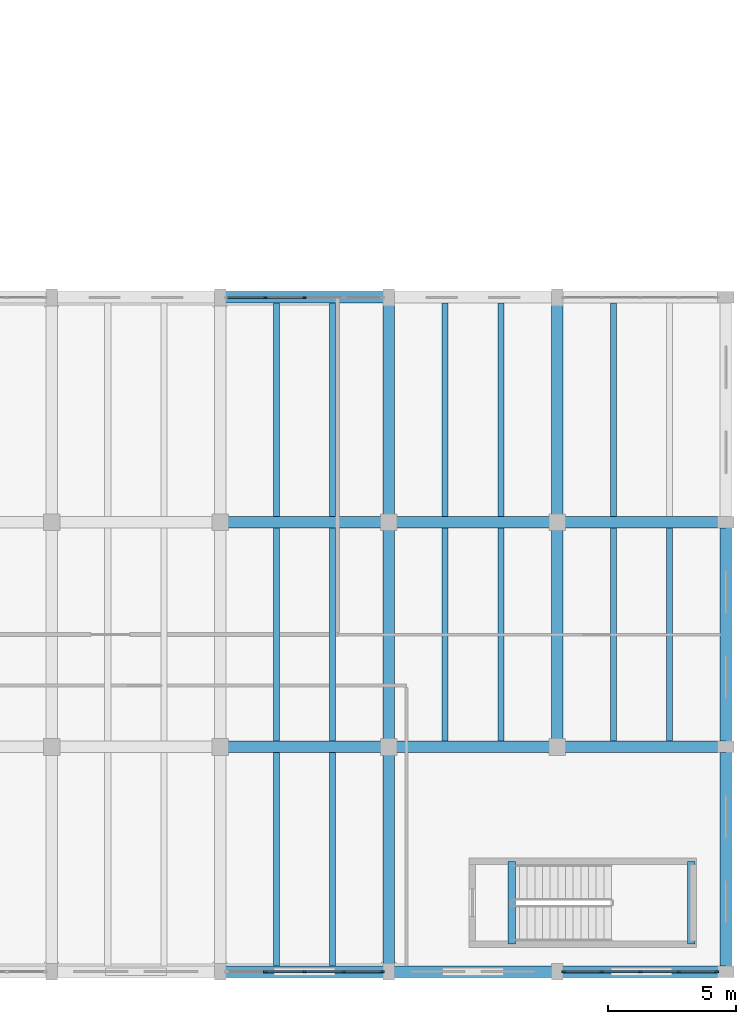
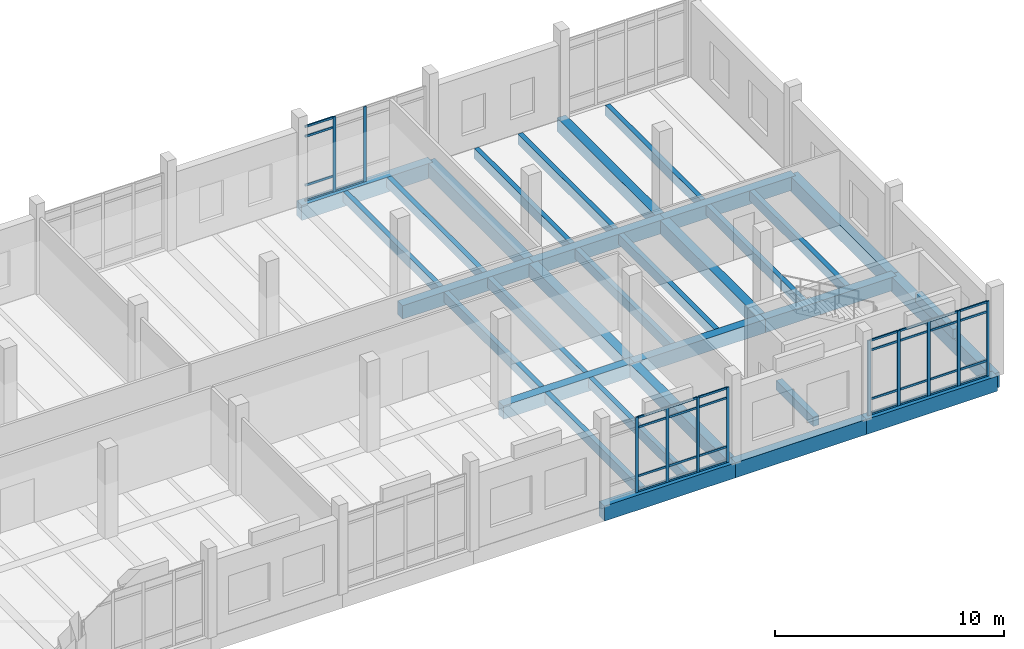
# One storey, part 38 of 101: 44 members, 32 beams, 3 elements without a shape of their own.
"""IFC4 building model written with IfcOpenShell, lengths in metres."""

from ifc_helpers import new_model, si_unit, direction, frame, origin, origin_2d, place, context, subcontext, project, spatial, rectangle, extrude, material, material_profile, profile_set, type_object, element, aggregate, save


model = new_model("IFC4")

# Units and contexts
model_context = context("Model", 3, precision=1e-05, world=origin(), true_north=direction((0.0, 1.0)))
body_context = subcontext(model_context, "Body", "Model", "MODEL_VIEW")
ifc_project = project(units=[si_unit("LENGTHUNIT", "METRE"), si_unit("AREAUNIT", "SQUARE_METRE"), si_unit("VOLUMEUNIT", "CUBIC_METRE"), si_unit("PLANEANGLEUNIT", "RADIAN"), si_unit("MASSUNIT", "GRAM", prefix="KILO")], contexts=[model_context])

# Site, building, storey
site_placement = place(None, origin())
site = spatial("IfcSite", under=ifc_project, at=site_placement, CompositionType="ELEMENT")
building_placement = place(site_placement, origin())
building = spatial("IfcBuilding", under=site, at=building_placement, Name="Dornvale Research Institute", CompositionType="ELEMENT")
storey_placement = place(building_placement, frame((0.0, 0.0, 10.199951171875)))
storey = spatial("IfcBuildingStorey", under=building, at=storey_placement, Name="L02", CompositionType="ELEMENT", Elevation=10.199951171875)

# Beams
ifc_material_1 = material(Name="Concrete f'c 45 MPa (C35/45)", Category="concrete")
ifc_material_profile_1 = material_profile(ifc_material_1, rectangle(XDim=0.300048828125, YDim=0.5, at=origin_2d()), Name="RC 300x500")
ifc_profile_set_1 = profile_set([ifc_material_profile_1], Name="Concrete f'c 45 MPa (C35/45)")
beam_type_1 = type_object("IfcBeamType", Name="Beam_RC300x500_Trim", PredefinedType="BEAM", material=ifc_profile_set_1)
for number, where, z_axis, x_axis, name in (
    (1, (169.820068359375, 1.080078125, -0.25), (0.0, 1.0, 0.0), (-1.0, 0.0, 0.0), "L02 ST-6 stair landing trimmer beam #88"),
    (2, (176.85009765625, 1.080078125, 1.949951171875), (0.0, 1.0, 0.0), (-1.0, 0.0, 0.0), "L02 ST-6 half-landing support beam #94"),
):
    element("IfcBeam", number, at=place(storey_placement, frame(where, z_axis=z_axis, x_axis=x_axis)), inside=storey, type_object=beam_type_1, Name=name, PredefinedType="BEAM", context=body_context, shape_type="SweptSolid", body=[
        extrude(rectangle(XDim=0.300048828125, YDim=0.5, at=origin_2d()), origin(), (0.0, 0.0, 1.0), 3.239990234375),
    ])
ifc_material_2 = material(Name="Concrete f'c 45 MPa (C35/45)", Category="concrete")
ifc_material_profile_2 = material_profile(ifc_material_2, rectangle(XDim=0.449951171875, YDim=0.715087890625, at=origin_2d()), Name="RC 450x715")
ifc_profile_set_2 = profile_set([ifc_material_profile_2], Name="Concrete f'c 45 MPa (C35/45)")
beam_type_2 = type_object("IfcBeamType", Name="Beam_RC450x715_Lab", PredefinedType="BEAM", material=ifc_profile_set_2)
for number, where, z_axis, x_axis, name in (
    (3, (158.39990234375, 8.800048828125, -0.357421875), (1.0, 0.0, 0.0), (0.0, 1.0, 0.0), "L02 primary girder #719"),
    (4, (165.0, 8.800048828125, -0.357421875), (1.0, 0.0, 0.0), (0.0, 1.0, 0.0), "L02 primary girder #720"),
):
    element("IfcBeam", number, at=place(storey_placement, frame(where, z_axis=z_axis, x_axis=x_axis)), inside=storey, type_object=beam_type_2, Name=name, PredefinedType="BEAM", context=body_context, shape_type="SweptSolid", body=[
        extrude(rectangle(XDim=0.449951171875, YDim=0.715087890625, at=origin_2d()), origin(), (0.0, 0.0, 1.0), 6.60009765625),
    ])
beam_1_placement = place(storey_placement, frame((171.60009765625, 8.800048828125, -0.357421875), z_axis=(1.0, 0.0, 0.0), x_axis=(0.0, 1.0, 0.0)))
element("IfcBeam", 5, at=beam_1_placement, inside=storey, type_object=beam_type_2, Name="L02 primary girder #721", PredefinedType="BEAM", context=body_context, shape_type="SweptSolid", body=[
    extrude(rectangle(XDim=0.449951171875, YDim=0.715087890625, at=origin_2d()), origin(), (0.0, 0.0, 1.0), 6.599853515625),
])
for number, where, z_axis, x_axis, name in (
    (6, (158.39990234375, 17.60009765625, -0.357421875), (1.0, 0.0, 0.0), (0.0, 1.0, 0.0), "L02 primary girder #731"),
    (7, (165.0, 17.60009765625, -0.357421875), (1.0, 0.0, 0.0), (0.0, 1.0, 0.0), "L02 primary girder #732"),
):
    element("IfcBeam", number, at=place(storey_placement, frame(where, z_axis=z_axis, x_axis=x_axis)), inside=storey, type_object=beam_type_2, Name=name, PredefinedType="BEAM", context=body_context, shape_type="SweptSolid", body=[
        extrude(rectangle(XDim=0.449951171875, YDim=0.715087890625, at=origin_2d()), origin(), (0.0, 0.0, 1.0), 6.60009765625),
    ])
beam_2_placement = place(storey_placement, frame((171.60009765625, 17.60009765625, -0.357421875), z_axis=(1.0, 0.0, 0.0), x_axis=(0.0, 1.0, 0.0)))
element("IfcBeam", 8, at=beam_2_placement, inside=storey, type_object=beam_type_2, Name="L02 primary girder #733", PredefinedType="BEAM", context=body_context, shape_type="SweptSolid", body=[
    extrude(rectangle(XDim=0.449951171875, YDim=0.715087890625, at=origin_2d()), origin(), (0.0, 0.0, 1.0), 6.599853515625),
])
for number, where, z_axis, x_axis, name in (
    (9, (165.0, 0.0, -0.357421875), (0.0, 1.0, 0.0), (-1.0, 0.0, 0.0), "L02 transverse girder #775"),
    (10, (165.0, 8.800048828125, -0.357421875), (0.0, 1.0, 0.0), (-1.0, 0.0, 0.0), "L02 transverse girder #776"),
):
    element("IfcBeam", number, at=place(storey_placement, frame(where, z_axis=z_axis, x_axis=x_axis)), inside=storey, type_object=beam_type_2, Name=name, PredefinedType="BEAM", context=body_context, shape_type="SweptSolid", body=[
        extrude(rectangle(XDim=0.449951171875, YDim=0.715087890625, at=origin_2d()), origin(), (0.0, 0.0, 1.0), 8.800048828125),
    ])
beam_3_placement = place(storey_placement, frame((165.0, 17.60009765625, -0.357421875), z_axis=(0.0, 1.0, 0.0), x_axis=(-1.0, 0.0, 0.0)))
element("IfcBeam", 11, at=beam_3_placement, inside=storey, type_object=beam_type_2, Name="L02 transverse girder #777", PredefinedType="BEAM", context=body_context, shape_type="SweptSolid", body=[
    extrude(rectangle(XDim=0.449951171875, YDim=0.715087890625, at=origin_2d()), origin(), (0.0, 0.0, 1.0), 8.7998046875),
])
beam_4_placement = place(storey_placement, frame((171.60009765625, 8.800048828125, -0.357421875), z_axis=(0.0, 1.0, 0.0), x_axis=(-1.0, 0.0, 0.0)))
element("IfcBeam", 12, at=beam_4_placement, inside=storey, type_object=beam_type_2, Name="L02 transverse girder #778", PredefinedType="BEAM", context=body_context, shape_type="SweptSolid", body=[
    extrude(rectangle(XDim=0.449951171875, YDim=0.715087890625, at=origin_2d()), origin(), (0.0, 0.0, 1.0), 8.800048828125),
])
beam_5_placement = place(storey_placement, frame((171.60009765625, 17.60009765625, -0.357421875), z_axis=(0.0, 1.0, 0.0), x_axis=(-1.0, 0.0, 0.0)))
element("IfcBeam", 13, at=beam_5_placement, inside=storey, type_object=beam_type_2, Name="L02 transverse girder #779", PredefinedType="BEAM", context=body_context, shape_type="SweptSolid", body=[
    extrude(rectangle(XDim=0.449951171875, YDim=0.715087890625, at=origin_2d()), origin(), (0.0, 0.0, 1.0), 8.7998046875),
])
ifc_material_3 = material(Name="Concrete f'c 45 MPa (C35/45)", Category="concrete")
ifc_material_profile_3 = material_profile(ifc_material_3, rectangle(XDim=0.239990234375, YDim=0.534912109375, at=origin_2d()), Name="RC 240x535")
ifc_profile_set_3 = profile_set([ifc_material_profile_3], Name="Concrete f'c 45 MPa (C35/45)")
beam_type_3 = type_object("IfcBeamType", Name="Joist_RC240x535_Waffle", PredefinedType="JOIST", material=ifc_profile_set_3)
for number, where, z_axis, x_axis, name in (
    (14, (160.60009765625, 0.22509765625, -0.267333984375), (0.0, 1.0, 0.0), (-1.0, 0.0, 0.0), "L02 laboratory waffle joist #401"),
    (15, (162.800048828125, 0.22509765625, -0.267333984375), (0.0, 1.0, 0.0), (-1.0, 0.0, 0.0), "L02 laboratory waffle joist #402"),
):
    element("IfcBeam", number, at=place(storey_placement, frame(where, z_axis=z_axis, x_axis=x_axis)), inside=storey, type_object=beam_type_3, Name=name, PredefinedType="JOIST", context=body_context, shape_type="SweptSolid", body=[
        extrude(rectangle(XDim=0.239990234375, YDim=0.534912109375, at=origin_2d()), origin(), (0.0, 0.0, 1.0), 8.349853515625),
    ])
for number, where, z_axis, x_axis, name in (
    (16, (160.60009765625, 9.02490234375, -0.267333984375), (0.0, 1.0, 0.0), (-1.0, 0.0, 0.0), "L02 laboratory waffle joist #403"),
    (17, (162.800048828125, 9.02490234375, -0.267333984375), (0.0, 1.0, 0.0), (-1.0, 0.0, 0.0), "L02 laboratory waffle joist #404"),
    (18, (160.60009765625, 17.824951171875, -0.267333984375), (0.0, 1.0, 0.0), (-1.0, 0.0, 0.0), "L02 laboratory waffle joist #405"),
    (19, (162.800048828125, 17.824951171875, -0.267333984375), (0.0, 1.0, 0.0), (-1.0, 0.0, 0.0), "L02 laboratory waffle joist #406"),
    (20, (167.199951171875, 9.02490234375, -0.267333984375), (0.0, 1.0, 0.0), (-1.0, 0.0, 0.0), "L02 laboratory waffle joist #407"),
    (21, (169.39990234375, 9.02490234375, -0.267333984375), (0.0, 1.0, 0.0), (-1.0, 0.0, 0.0), "L02 laboratory waffle joist #408"),
    (22, (167.199951171875, 17.824951171875, -0.267333984375), (0.0, 1.0, 0.0), (-1.0, 0.0, 0.0), "L02 laboratory waffle joist #409"),
    (23, (169.39990234375, 17.824951171875, -0.267333984375), (0.0, 1.0, 0.0), (-1.0, 0.0, 0.0), "L02 laboratory waffle joist #410"),
    (24, (173.800048828125, 9.02490234375, -0.267333984375), (0.0, 1.0, 0.0), (-1.0, 0.0, 0.0), "L02 laboratory waffle joist #411"),
    (25, (176.0, 9.02490234375, -0.267333984375), (0.0, 1.0, 0.0), (-1.0, 0.0, 0.0), "L02 laboratory waffle joist #412"),
    (26, (173.800048828125, 17.824951171875, -0.267333984375), (0.0, 1.0, 0.0), (-1.0, 0.0, 0.0), "L02 laboratory waffle joist #413"),
):
    element("IfcBeam", number, at=place(storey_placement, frame(where, z_axis=z_axis, x_axis=x_axis)), inside=storey, type_object=beam_type_3, Name=name, PredefinedType="JOIST", context=body_context, shape_type="SweptSolid", body=[
        extrude(rectangle(XDim=0.239990234375, YDim=0.534912109375, at=origin_2d()), origin(), (0.0, 0.0, 1.0), 8.35009765625),
    ])

# Curtain wall, members
ifc_material_4 = material(Name="Low-E Argon Double Insulating Glazing Unit", Category="glass")
curtain_wall_type_1 = type_object("IfcCurtainWallType", Name="UnitisedCurtainWall_V3_6150x4000", PredefinedType="USERDEFINED", material=ifc_material_4)
curtain_wall_1_placement = place(storey_placement, origin())
curtain_wall_1 = element("IfcCurtainWall", 27, at=curtain_wall_1_placement, inside=storey, type_object=curtain_wall_type_1, Name="L02 V3 unitised curtain wall CW-06 #46", ObjectType="UNITISED CURTAIN WALL", PredefinedType="USERDEFINED")
ifc_material_5 = material(Name="Anodized Aluminum AA 6063-T6 Thermally Broken Frame", Category="aluminium")
ifc_material_profile_4 = material_profile(ifc_material_5, rectangle(XDim=0.06494140625, YDim=0.14990234375, at=origin_2d()), Name="ALU MULLION 65x150")
ifc_profile_set_4 = profile_set([ifc_material_profile_4], Name="Anodized Aluminum AA 6063-T6 Thermally Broken Frame")
member_type_1 = type_object("IfcMemberType", Name="Mullion_CW_65x150", PredefinedType="MULLION", material=ifc_profile_set_4)
member_1_placement = place(storey_placement, frame((160.16259765625, 26.39990234375, 0.0), z_axis=(0.0, 0.0, 1.0), x_axis=(0.0, 1.0, 0.0)))
member_1 = element("IfcMember", 28, at=member_1_placement, type_object=member_type_1, Name="CW-06 mullion 2", PredefinedType="MULLION", context=body_context, shape_type="SweptSolid", body=[
    extrude(rectangle(XDim=0.06494140625, YDim=0.14990234375, at=origin_2d()), origin(), (0.0, 0.0, 1.0), 4.0),
])
member_2_placement = place(storey_placement, frame((161.699951171875, 26.39990234375, 0.0), z_axis=(0.0, 0.0, 1.0), x_axis=(0.0, 1.0, 0.0)))
member_2 = element("IfcMember", 29, at=member_2_placement, type_object=member_type_1, Name="CW-06 mullion 3", PredefinedType="MULLION", context=body_context, shape_type="SweptSolid", body=[
    extrude(rectangle(XDim=0.06494140625, YDim=0.14990234375, at=origin_2d()), origin(), (0.0, 0.0, 1.0), 4.0),
])

ifc_material_6 = material(Name="Low-E Argon Double Insulating Glazing Unit", Category="glass")
curtain_wall_type_2 = type_object("IfcCurtainWallType", Name="UnitisedCurtainWall_V3_6050x4000", PredefinedType="USERDEFINED", material=ifc_material_6)
curtain_wall_2_placement = place(storey_placement, origin())
curtain_wall_2 = element("IfcCurtainWall", 30, at=curtain_wall_2_placement, inside=storey, type_object=curtain_wall_type_2, Name="L02 V3 unitised curtain wall CW-07 #48", ObjectType="UNITISED CURTAIN WALL", PredefinedType="USERDEFINED")
member_3_placement = place(storey_placement, frame((177.842529296875, 0.0, 0.0), z_axis=(0.0, 0.0, 1.0), x_axis=(0.0, -1.0, 0.0)))
member_3 = element("IfcMember", 31, at=member_3_placement, type_object=member_type_1, Name="CW-07 mullion 1", PredefinedType="MULLION", context=body_context, shape_type="SweptSolid", body=[
    extrude(rectangle(XDim=0.06494140625, YDim=0.14990234375, at=origin_2d()), origin(), (0.0, 0.0, 1.0), 4.0),
])
member_4_placement = place(storey_placement, frame((176.362548828125, 0.0, 0.0), z_axis=(0.0, 0.0, 1.0), x_axis=(0.0, -1.0, 0.0)))
member_4 = element("IfcMember", 32, at=member_4_placement, type_object=member_type_1, Name="CW-07 mullion 2", PredefinedType="MULLION", context=body_context, shape_type="SweptSolid", body=[
    extrude(rectangle(XDim=0.06494140625, YDim=0.14990234375, at=origin_2d()), origin(), (0.0, 0.0, 1.0), 4.0),
])
member_5_placement = place(storey_placement, frame((174.85009765625, 0.0, 0.0), z_axis=(0.0, 0.0, 1.0), x_axis=(0.0, -1.0, 0.0)))
member_5 = element("IfcMember", 33, at=member_5_placement, type_object=member_type_1, Name="CW-07 mullion 3", PredefinedType="MULLION", context=body_context, shape_type="SweptSolid", body=[
    extrude(rectangle(XDim=0.06494140625, YDim=0.14990234375, at=origin_2d()), origin(), (0.0, 0.0, 1.0), 4.0),
])
member_6_placement = place(storey_placement, frame((173.33740234375, 0.0, 0.0), z_axis=(0.0, 0.0, 1.0), x_axis=(0.0, -1.0, 0.0)))
member_6 = element("IfcMember", 34, at=member_6_placement, type_object=member_type_1, Name="CW-07 mullion 4", PredefinedType="MULLION", context=body_context, shape_type="SweptSolid", body=[
    extrude(rectangle(XDim=0.06494140625, YDim=0.14990234375, at=origin_2d()), origin(), (0.0, 0.0, 1.0), 4.0),
])
member_7_placement = place(storey_placement, frame((171.857421875, 0.0, 0.0), z_axis=(0.0, 0.0, 1.0), x_axis=(0.0, -1.0, 0.0)))
member_7 = element("IfcMember", 35, at=member_7_placement, type_object=member_type_1, Name="CW-07 mullion 5", PredefinedType="MULLION", context=body_context, shape_type="SweptSolid", body=[
    extrude(rectangle(XDim=0.06494140625, YDim=0.14990234375, at=origin_2d()), origin(), (0.0, 0.0, 1.0), 4.0),
])

curtain_wall_3_placement = place(storey_placement, origin())
curtain_wall_3 = element("IfcCurtainWall", 36, at=curtain_wall_3_placement, inside=storey, type_object=curtain_wall_type_1, Name="L02 V3 unitised curtain wall CW-06 #49", ObjectType="UNITISED CURTAIN WALL", PredefinedType="USERDEFINED")
member_8_placement = place(storey_placement, frame((164.742431640625, 0.0, 0.0), z_axis=(0.0, 0.0, 1.0), x_axis=(0.0, -1.0, 0.0)))
member_8 = element("IfcMember", 37, at=member_8_placement, type_object=member_type_1, Name="CW-06 mullion 1", PredefinedType="MULLION", context=body_context, shape_type="SweptSolid", body=[
    extrude(rectangle(XDim=0.06494140625, YDim=0.14990234375, at=origin_2d()), origin(), (0.0, 0.0, 1.0), 4.0),
])
member_9_placement = place(storey_placement, frame((163.237548828125, 0.0, 0.0), z_axis=(0.0, 0.0, 1.0), x_axis=(0.0, -1.0, 0.0)))
member_9 = element("IfcMember", 38, at=member_9_placement, type_object=member_type_1, Name="CW-06 mullion 2", PredefinedType="MULLION", context=body_context, shape_type="SweptSolid", body=[
    extrude(rectangle(XDim=0.06494140625, YDim=0.14990234375, at=origin_2d()), origin(), (0.0, 0.0, 1.0), 4.0),
])
member_10_placement = place(storey_placement, frame((161.699951171875, 0.0, 0.0), z_axis=(0.0, 0.0, 1.0), x_axis=(0.0, -1.0, 0.0)))
member_10 = element("IfcMember", 39, at=member_10_placement, type_object=member_type_1, Name="CW-06 mullion 3", PredefinedType="MULLION", context=body_context, shape_type="SweptSolid", body=[
    extrude(rectangle(XDim=0.06494140625, YDim=0.14990234375, at=origin_2d()), origin(), (0.0, 0.0, 1.0), 4.0),
])
member_11_placement = place(storey_placement, frame((160.16259765625, 0.0, 0.0), z_axis=(0.0, 0.0, 1.0), x_axis=(0.0, -1.0, 0.0)))
member_11 = element("IfcMember", 40, at=member_11_placement, type_object=member_type_1, Name="CW-06 mullion 4", PredefinedType="MULLION", context=body_context, shape_type="SweptSolid", body=[
    extrude(rectangle(XDim=0.06494140625, YDim=0.14990234375, at=origin_2d()), origin(), (0.0, 0.0, 1.0), 4.0),
])

# Beams
ifc_material_7 = material(Name="Concrete f'c 45 MPa (C35/45)", Category="concrete")
ifc_material_profile_5 = material_profile(ifc_material_7, rectangle(XDim=0.449951171875, YDim=0.800048828125, at=origin_2d()), Name="RC 450x800")
ifc_profile_set_5 = profile_set([ifc_material_profile_5], Name="Concrete f'c 45 MPa (C35/45)")
beam_type_4 = type_object("IfcBeamType", Name="Spandrel_RC450x800_Ext", PredefinedType="SPANDREL", material=ifc_profile_set_5)
for number, where, z_axis, x_axis, name in (
    (41, (158.39990234375, 0.0, -0.39990234375), (1.0, 0.0, 0.0), (0.0, 1.0, 0.0), "L02 perimeter spandrel #707"),
    (42, (165.0, 0.0, -0.39990234375), (1.0, 0.0, 0.0), (0.0, 1.0, 0.0), "L02 perimeter spandrel #708"),
):
    element("IfcBeam", number, at=place(storey_placement, frame(where, z_axis=z_axis, x_axis=x_axis)), inside=storey, type_object=beam_type_4, Name=name, PredefinedType="SPANDREL", context=body_context, shape_type="SweptSolid", body=[
        extrude(rectangle(XDim=0.449951171875, YDim=0.800048828125, at=origin_2d()), origin(), (0.0, 0.0, 1.0), 6.60009765625),
    ])
beam_6_placement = place(storey_placement, frame((171.60009765625, 0.0, -0.39990234375), z_axis=(1.0, 0.0, 0.0), x_axis=(0.0, 1.0, 0.0)))
element("IfcBeam", 43, at=beam_6_placement, inside=storey, type_object=beam_type_4, Name="L02 perimeter spandrel #709", PredefinedType="SPANDREL", context=body_context, shape_type="SweptSolid", body=[
    extrude(rectangle(XDim=0.449951171875, YDim=0.800048828125, at=origin_2d()), origin(), (0.0, 0.0, 1.0), 6.599853515625),
])
beam_7_placement = place(storey_placement, frame((158.39990234375, 26.39990234375, -0.39990234375), z_axis=(1.0, 0.0, 0.0), x_axis=(0.0, 1.0, 0.0)))
element("IfcBeam", 44, at=beam_7_placement, inside=storey, type_object=beam_type_4, Name="L02 perimeter spandrel #743", PredefinedType="SPANDREL", context=body_context, shape_type="SweptSolid", body=[
    extrude(rectangle(XDim=0.449951171875, YDim=0.800048828125, at=origin_2d()), origin(), (0.0, 0.0, 1.0), 6.60009765625),
])
for number, where, z_axis, x_axis, name in (
    (45, (178.199951171875, 0.0, -0.39990234375), (0.0, 1.0, 0.0), (-1.0, 0.0, 0.0), "L02 perimeter spandrel #780"),
    (46, (178.199951171875, 8.800048828125, -0.39990234375), (0.0, 1.0, 0.0), (-1.0, 0.0, 0.0), "L02 perimeter spandrel #781"),
):
    element("IfcBeam", number, at=place(storey_placement, frame(where, z_axis=z_axis, x_axis=x_axis)), inside=storey, type_object=beam_type_4, Name=name, PredefinedType="SPANDREL", context=body_context, shape_type="SweptSolid", body=[
        extrude(rectangle(XDim=0.449951171875, YDim=0.800048828125, at=origin_2d()), origin(), (0.0, 0.0, 1.0), 8.800048828125),
    ])

# Member
ifc_material_8 = material(Name="Anodized Aluminum AA 6063-T6 Thermally Broken Frame", Category="aluminium")
ifc_material_profile_6 = material_profile(ifc_material_8, rectangle(XDim=0.06494140625, YDim=0.110107421875, at=origin_2d()), Name="ALU TRANSOM 65x110")
ifc_profile_set_6 = profile_set([ifc_material_profile_6], Name="Anodized Aluminum AA 6063-T6 Thermally Broken Frame")
member_type_2 = type_object("IfcMemberType", Name="Transom_CW_65x110", PredefinedType="USERDEFINED", material=ifc_profile_set_6)
member_12_placement = place(storey_placement, frame((158.68994140625, 26.39990234375, 0.032470703125), z_axis=(1.0, 0.0, 0.0), x_axis=(0.0, 1.0, 0.0)))
member_12 = element("IfcMember", 47, at=member_12_placement, type_object=member_type_2, Name="CW-06 transom 1.1", ObjectType="TRANSOM", PredefinedType="USERDEFINED", context=body_context, shape_type="SweptSolid", body=[
    extrude(rectangle(XDim=0.06494140625, YDim=0.110107421875, at=origin_2d()), origin(), (0.0, 0.0, 1.0), 1.43994140625),
])

member_13_placement = place(storey_placement, frame((158.68994140625, 26.39990234375, 0.85009765625), z_axis=(1.0, 0.0, 0.0), x_axis=(0.0, 1.0, 0.0)))
member_13 = element("IfcMember", 48, at=member_13_placement, type_object=member_type_2, Name="CW-06 transom 1.2", ObjectType="TRANSOM", PredefinedType="USERDEFINED", context=body_context, shape_type="SweptSolid", body=[
    extrude(rectangle(XDim=0.06494140625, YDim=0.110107421875, at=origin_2d()), origin(), (0.0, 0.0, 1.0), 1.43994140625),
])

member_14_placement = place(storey_placement, frame((158.68994140625, 26.39990234375, 3.449951171875), z_axis=(1.0, 0.0, 0.0), x_axis=(0.0, 1.0, 0.0)))
member_14 = element("IfcMember", 49, at=member_14_placement, type_object=member_type_2, Name="CW-06 transom 1.3", ObjectType="TRANSOM", PredefinedType="USERDEFINED", context=body_context, shape_type="SweptSolid", body=[
    extrude(rectangle(XDim=0.06494140625, YDim=0.110107421875, at=origin_2d()), origin(), (0.0, 0.0, 1.0), 1.43994140625),
])

member_15_placement = place(storey_placement, frame((158.68994140625, 26.39990234375, 3.967529296875), z_axis=(1.0, 0.0, 0.0), x_axis=(0.0, 1.0, 0.0)))
member_15 = element("IfcMember", 50, at=member_15_placement, type_object=member_type_2, Name="CW-06 transom 1.4", ObjectType="TRANSOM", PredefinedType="USERDEFINED", context=body_context, shape_type="SweptSolid", body=[
    extrude(rectangle(XDim=0.06494140625, YDim=0.110107421875, at=origin_2d()), origin(), (0.0, 0.0, 1.0), 1.43994140625),
])

member_16_placement = place(storey_placement, frame((160.195068359375, 26.39990234375, 0.032470703125), z_axis=(1.0, 0.0, 0.0), x_axis=(0.0, 1.0, 0.0)))
member_16 = element("IfcMember", 51, at=member_16_placement, type_object=member_type_2, Name="CW-06 transom 2.1", ObjectType="TRANSOM", PredefinedType="USERDEFINED", context=body_context, shape_type="SweptSolid", body=[
    extrude(rectangle(XDim=0.06494140625, YDim=0.110107421875, at=origin_2d()), origin(), (0.0, 0.0, 1.0), 1.472412109375),
])

aggregate(curtain_wall_1, [member_1, member_2, member_12, member_13, member_14, member_15, member_16])

member_17_placement = place(storey_placement, frame((177.81005859375, 0.0, 0.032470703125), z_axis=(-1.0, 0.0, 0.0), x_axis=(0.0, -1.0, 0.0)))
member_17 = element("IfcMember", 52, at=member_17_placement, type_object=member_type_2, Name="CW-07 transom 1.1", ObjectType="TRANSOM", PredefinedType="USERDEFINED", context=body_context, shape_type="SweptSolid", body=[
    extrude(rectangle(XDim=0.06494140625, YDim=0.110107421875, at=origin_2d()), origin(), (0.0, 0.0, 1.0), 1.4150390625),
])

member_18_placement = place(storey_placement, frame((177.81005859375, 0.0, 0.85009765625), z_axis=(-1.0, 0.0, 0.0), x_axis=(0.0, -1.0, 0.0)))
member_18 = element("IfcMember", 53, at=member_18_placement, type_object=member_type_2, Name="CW-07 transom 1.2", ObjectType="TRANSOM", PredefinedType="USERDEFINED", context=body_context, shape_type="SweptSolid", body=[
    extrude(rectangle(XDim=0.06494140625, YDim=0.110107421875, at=origin_2d()), origin(), (0.0, 0.0, 1.0), 1.4150390625),
])

member_19_placement = place(storey_placement, frame((177.81005859375, 0.0, 3.449951171875), z_axis=(-1.0, 0.0, 0.0), x_axis=(0.0, -1.0, 0.0)))
member_19 = element("IfcMember", 54, at=member_19_placement, type_object=member_type_2, Name="CW-07 transom 1.3", ObjectType="TRANSOM", PredefinedType="USERDEFINED", context=body_context, shape_type="SweptSolid", body=[
    extrude(rectangle(XDim=0.06494140625, YDim=0.110107421875, at=origin_2d()), origin(), (0.0, 0.0, 1.0), 1.4150390625),
])

member_20_placement = place(storey_placement, frame((177.81005859375, 0.0, 3.967529296875), z_axis=(-1.0, 0.0, 0.0), x_axis=(0.0, -1.0, 0.0)))
member_20 = element("IfcMember", 55, at=member_20_placement, type_object=member_type_2, Name="CW-07 transom 1.4", ObjectType="TRANSOM", PredefinedType="USERDEFINED", context=body_context, shape_type="SweptSolid", body=[
    extrude(rectangle(XDim=0.06494140625, YDim=0.110107421875, at=origin_2d()), origin(), (0.0, 0.0, 1.0), 1.4150390625),
])

member_21_placement = place(storey_placement, frame((176.330078125, 0.0, 0.032470703125), z_axis=(-1.0, 0.0, 0.0), x_axis=(0.0, -1.0, 0.0)))
member_21 = element("IfcMember", 56, at=member_21_placement, type_object=member_type_2, Name="CW-07 transom 2.1", ObjectType="TRANSOM", PredefinedType="USERDEFINED", context=body_context, shape_type="SweptSolid", body=[
    extrude(rectangle(XDim=0.06494140625, YDim=0.110107421875, at=origin_2d()), origin(), (0.0, 0.0, 1.0), 1.447509765625),
])

member_22_placement = place(storey_placement, frame((176.330078125, 0.0, 0.85009765625), z_axis=(-1.0, 0.0, 0.0), x_axis=(0.0, -1.0, 0.0)))
member_22 = element("IfcMember", 57, at=member_22_placement, type_object=member_type_2, Name="CW-07 transom 2.2", ObjectType="TRANSOM", PredefinedType="USERDEFINED", context=body_context, shape_type="SweptSolid", body=[
    extrude(rectangle(XDim=0.06494140625, YDim=0.110107421875, at=origin_2d()), origin(), (0.0, 0.0, 1.0), 1.447509765625),
])

member_23_placement = place(storey_placement, frame((176.330078125, 0.0, 3.449951171875), z_axis=(-1.0, 0.0, 0.0), x_axis=(0.0, -1.0, 0.0)))
member_23 = element("IfcMember", 58, at=member_23_placement, type_object=member_type_2, Name="CW-07 transom 2.3", ObjectType="TRANSOM", PredefinedType="USERDEFINED", context=body_context, shape_type="SweptSolid", body=[
    extrude(rectangle(XDim=0.06494140625, YDim=0.110107421875, at=origin_2d()), origin(), (0.0, 0.0, 1.0), 1.447509765625),
])

member_24_placement = place(storey_placement, frame((176.330078125, 0.0, 3.967529296875), z_axis=(-1.0, 0.0, 0.0), x_axis=(0.0, -1.0, 0.0)))
member_24 = element("IfcMember", 59, at=member_24_placement, type_object=member_type_2, Name="CW-07 transom 2.4", ObjectType="TRANSOM", PredefinedType="USERDEFINED", context=body_context, shape_type="SweptSolid", body=[
    extrude(rectangle(XDim=0.06494140625, YDim=0.110107421875, at=origin_2d()), origin(), (0.0, 0.0, 1.0), 1.447509765625),
])

member_25_placement = place(storey_placement, frame((174.8173828125, 0.0, 0.032470703125), z_axis=(-1.0, 0.0, 0.0), x_axis=(0.0, -1.0, 0.0)))
member_25 = element("IfcMember", 60, at=member_25_placement, type_object=member_type_2, Name="CW-07 transom 3.1", ObjectType="TRANSOM", PredefinedType="USERDEFINED", context=body_context, shape_type="SweptSolid", body=[
    extrude(rectangle(XDim=0.06494140625, YDim=0.110107421875, at=origin_2d()), origin(), (0.0, 0.0, 1.0), 1.447265625),
])

member_26_placement = place(storey_placement, frame((174.8173828125, 0.0, 0.85009765625), z_axis=(-1.0, 0.0, 0.0), x_axis=(0.0, -1.0, 0.0)))
member_26 = element("IfcMember", 61, at=member_26_placement, type_object=member_type_2, Name="CW-07 transom 3.2", ObjectType="TRANSOM", PredefinedType="USERDEFINED", context=body_context, shape_type="SweptSolid", body=[
    extrude(rectangle(XDim=0.06494140625, YDim=0.110107421875, at=origin_2d()), origin(), (0.0, 0.0, 1.0), 1.447265625),
])

member_27_placement = place(storey_placement, frame((174.8173828125, 0.0, 3.449951171875), z_axis=(-1.0, 0.0, 0.0), x_axis=(0.0, -1.0, 0.0)))
member_27 = element("IfcMember", 62, at=member_27_placement, type_object=member_type_2, Name="CW-07 transom 3.3", ObjectType="TRANSOM", PredefinedType="USERDEFINED", context=body_context, shape_type="SweptSolid", body=[
    extrude(rectangle(XDim=0.06494140625, YDim=0.110107421875, at=origin_2d()), origin(), (0.0, 0.0, 1.0), 1.447265625),
])

member_28_placement = place(storey_placement, frame((174.8173828125, 0.0, 3.967529296875), z_axis=(-1.0, 0.0, 0.0), x_axis=(0.0, -1.0, 0.0)))
member_28 = element("IfcMember", 63, at=member_28_placement, type_object=member_type_2, Name="CW-07 transom 3.4", ObjectType="TRANSOM", PredefinedType="USERDEFINED", context=body_context, shape_type="SweptSolid", body=[
    extrude(rectangle(XDim=0.06494140625, YDim=0.110107421875, at=origin_2d()), origin(), (0.0, 0.0, 1.0), 1.447265625),
])

member_29_placement = place(storey_placement, frame((173.304931640625, 0.0, 0.032470703125), z_axis=(-1.0, 0.0, 0.0), x_axis=(0.0, -1.0, 0.0)))
member_29 = element("IfcMember", 64, at=member_29_placement, type_object=member_type_2, Name="CW-07 transom 4.1", ObjectType="TRANSOM", PredefinedType="USERDEFINED", context=body_context, shape_type="SweptSolid", body=[
    extrude(rectangle(XDim=0.06494140625, YDim=0.110107421875, at=origin_2d()), origin(), (0.0, 0.0, 1.0), 1.4150390625),
])

member_30_placement = place(storey_placement, frame((173.304931640625, 0.0, 0.85009765625), z_axis=(-1.0, 0.0, 0.0), x_axis=(0.0, -1.0, 0.0)))
member_30 = element("IfcMember", 65, at=member_30_placement, type_object=member_type_2, Name="CW-07 transom 4.2", ObjectType="TRANSOM", PredefinedType="USERDEFINED", context=body_context, shape_type="SweptSolid", body=[
    extrude(rectangle(XDim=0.06494140625, YDim=0.110107421875, at=origin_2d()), origin(), (0.0, 0.0, 1.0), 1.4150390625),
])

member_31_placement = place(storey_placement, frame((173.304931640625, 0.0, 3.449951171875), z_axis=(-1.0, 0.0, 0.0), x_axis=(0.0, -1.0, 0.0)))
member_31 = element("IfcMember", 66, at=member_31_placement, type_object=member_type_2, Name="CW-07 transom 4.3", ObjectType="TRANSOM", PredefinedType="USERDEFINED", context=body_context, shape_type="SweptSolid", body=[
    extrude(rectangle(XDim=0.06494140625, YDim=0.110107421875, at=origin_2d()), origin(), (0.0, 0.0, 1.0), 1.4150390625),
])

member_32_placement = place(storey_placement, frame((173.304931640625, 0.0, 3.967529296875), z_axis=(-1.0, 0.0, 0.0), x_axis=(0.0, -1.0, 0.0)))
member_32 = element("IfcMember", 67, at=member_32_placement, type_object=member_type_2, Name="CW-07 transom 4.4", ObjectType="TRANSOM", PredefinedType="USERDEFINED", context=body_context, shape_type="SweptSolid", body=[
    extrude(rectangle(XDim=0.06494140625, YDim=0.110107421875, at=origin_2d()), origin(), (0.0, 0.0, 1.0), 1.4150390625),
])

aggregate(curtain_wall_2, [member_3, member_4, member_5, member_6, member_7, member_17, member_18, member_19, member_20, member_21, member_22, member_23, member_24, member_25, member_26, member_27, member_28, member_29, member_30, member_31, member_32])

member_33_placement = place(storey_placement, frame((164.7099609375, 0.0, 0.032470703125), z_axis=(-1.0, 0.0, 0.0), x_axis=(0.0, -1.0, 0.0)))
member_33 = element("IfcMember", 68, at=member_33_placement, type_object=member_type_2, Name="CW-06 transom 1.1", ObjectType="TRANSOM", PredefinedType="USERDEFINED", context=body_context, shape_type="SweptSolid", body=[
    extrude(rectangle(XDim=0.06494140625, YDim=0.110107421875, at=origin_2d()), origin(), (0.0, 0.0, 1.0), 1.43994140625),
])

member_34_placement = place(storey_placement, frame((164.7099609375, 0.0, 0.85009765625), z_axis=(-1.0, 0.0, 0.0), x_axis=(0.0, -1.0, 0.0)))
member_34 = element("IfcMember", 69, at=member_34_placement, type_object=member_type_2, Name="CW-06 transom 1.2", ObjectType="TRANSOM", PredefinedType="USERDEFINED", context=body_context, shape_type="SweptSolid", body=[
    extrude(rectangle(XDim=0.06494140625, YDim=0.110107421875, at=origin_2d()), origin(), (0.0, 0.0, 1.0), 1.43994140625),
])

member_35_placement = place(storey_placement, frame((164.7099609375, 0.0, 3.449951171875), z_axis=(-1.0, 0.0, 0.0), x_axis=(0.0, -1.0, 0.0)))
member_35 = element("IfcMember", 70, at=member_35_placement, type_object=member_type_2, Name="CW-06 transom 1.3", ObjectType="TRANSOM", PredefinedType="USERDEFINED", context=body_context, shape_type="SweptSolid", body=[
    extrude(rectangle(XDim=0.06494140625, YDim=0.110107421875, at=origin_2d()), origin(), (0.0, 0.0, 1.0), 1.43994140625),
])

member_36_placement = place(storey_placement, frame((164.7099609375, 0.0, 3.967529296875), z_axis=(-1.0, 0.0, 0.0), x_axis=(0.0, -1.0, 0.0)))
member_36 = element("IfcMember", 71, at=member_36_placement, type_object=member_type_2, Name="CW-06 transom 1.4", ObjectType="TRANSOM", PredefinedType="USERDEFINED", context=body_context, shape_type="SweptSolid", body=[
    extrude(rectangle(XDim=0.06494140625, YDim=0.110107421875, at=origin_2d()), origin(), (0.0, 0.0, 1.0), 1.43994140625),
])

member_37_placement = place(storey_placement, frame((163.205078125, 0.0, 0.032470703125), z_axis=(-1.0, 0.0, 0.0), x_axis=(0.0, -1.0, 0.0)))
member_37 = element("IfcMember", 72, at=member_37_placement, type_object=member_type_2, Name="CW-06 transom 2.1", ObjectType="TRANSOM", PredefinedType="USERDEFINED", context=body_context, shape_type="SweptSolid", body=[
    extrude(rectangle(XDim=0.06494140625, YDim=0.110107421875, at=origin_2d()), origin(), (0.0, 0.0, 1.0), 1.47265625),
])

member_38_placement = place(storey_placement, frame((163.205078125, 0.0, 0.85009765625), z_axis=(-1.0, 0.0, 0.0), x_axis=(0.0, -1.0, 0.0)))
member_38 = element("IfcMember", 73, at=member_38_placement, type_object=member_type_2, Name="CW-06 transom 2.2", ObjectType="TRANSOM", PredefinedType="USERDEFINED", context=body_context, shape_type="SweptSolid", body=[
    extrude(rectangle(XDim=0.06494140625, YDim=0.110107421875, at=origin_2d()), origin(), (0.0, 0.0, 1.0), 1.47265625),
])

member_39_placement = place(storey_placement, frame((163.205078125, 0.0, 3.449951171875), z_axis=(-1.0, 0.0, 0.0), x_axis=(0.0, -1.0, 0.0)))
member_39 = element("IfcMember", 74, at=member_39_placement, type_object=member_type_2, Name="CW-06 transom 2.3", ObjectType="TRANSOM", PredefinedType="USERDEFINED", context=body_context, shape_type="SweptSolid", body=[
    extrude(rectangle(XDim=0.06494140625, YDim=0.110107421875, at=origin_2d()), origin(), (0.0, 0.0, 1.0), 1.47265625),
])

member_40_placement = place(storey_placement, frame((163.205078125, 0.0, 3.967529296875), z_axis=(-1.0, 0.0, 0.0), x_axis=(0.0, -1.0, 0.0)))
member_40 = element("IfcMember", 75, at=member_40_placement, type_object=member_type_2, Name="CW-06 transom 2.4", ObjectType="TRANSOM", PredefinedType="USERDEFINED", context=body_context, shape_type="SweptSolid", body=[
    extrude(rectangle(XDim=0.06494140625, YDim=0.110107421875, at=origin_2d()), origin(), (0.0, 0.0, 1.0), 1.47265625),
])

member_41_placement = place(storey_placement, frame((161.66748046875, 0.0, 0.032470703125), z_axis=(-1.0, 0.0, 0.0), x_axis=(0.0, -1.0, 0.0)))
member_41 = element("IfcMember", 76, at=member_41_placement, type_object=member_type_2, Name="CW-06 transom 3.1", ObjectType="TRANSOM", PredefinedType="USERDEFINED", context=body_context, shape_type="SweptSolid", body=[
    extrude(rectangle(XDim=0.06494140625, YDim=0.110107421875, at=origin_2d()), origin(), (0.0, 0.0, 1.0), 1.472412109375),
])

member_42_placement = place(storey_placement, frame((161.66748046875, 0.0, 0.85009765625), z_axis=(-1.0, 0.0, 0.0), x_axis=(0.0, -1.0, 0.0)))
member_42 = element("IfcMember", 77, at=member_42_placement, type_object=member_type_2, Name="CW-06 transom 3.2", ObjectType="TRANSOM", PredefinedType="USERDEFINED", context=body_context, shape_type="SweptSolid", body=[
    extrude(rectangle(XDim=0.06494140625, YDim=0.110107421875, at=origin_2d()), origin(), (0.0, 0.0, 1.0), 1.472412109375),
])

member_43_placement = place(storey_placement, frame((161.66748046875, 0.0, 3.449951171875), z_axis=(-1.0, 0.0, 0.0), x_axis=(0.0, -1.0, 0.0)))
member_43 = element("IfcMember", 78, at=member_43_placement, type_object=member_type_2, Name="CW-06 transom 3.3", ObjectType="TRANSOM", PredefinedType="USERDEFINED", context=body_context, shape_type="SweptSolid", body=[
    extrude(rectangle(XDim=0.06494140625, YDim=0.110107421875, at=origin_2d()), origin(), (0.0, 0.0, 1.0), 1.472412109375),
])

member_44_placement = place(storey_placement, frame((161.66748046875, 0.0, 3.967529296875), z_axis=(-1.0, 0.0, 0.0), x_axis=(0.0, -1.0, 0.0)))
member_44 = element("IfcMember", 79, at=member_44_placement, type_object=member_type_2, Name="CW-06 transom 3.4", ObjectType="TRANSOM", PredefinedType="USERDEFINED", context=body_context, shape_type="SweptSolid", body=[
    extrude(rectangle(XDim=0.06494140625, YDim=0.110107421875, at=origin_2d()), origin(), (0.0, 0.0, 1.0), 1.472412109375),
])

aggregate(curtain_wall_3, [member_8, member_9, member_10, member_11, member_33, member_34, member_35, member_36, member_37, member_38, member_39, member_40, member_41, member_42, member_43, member_44])

save(model, "model.ifc")
